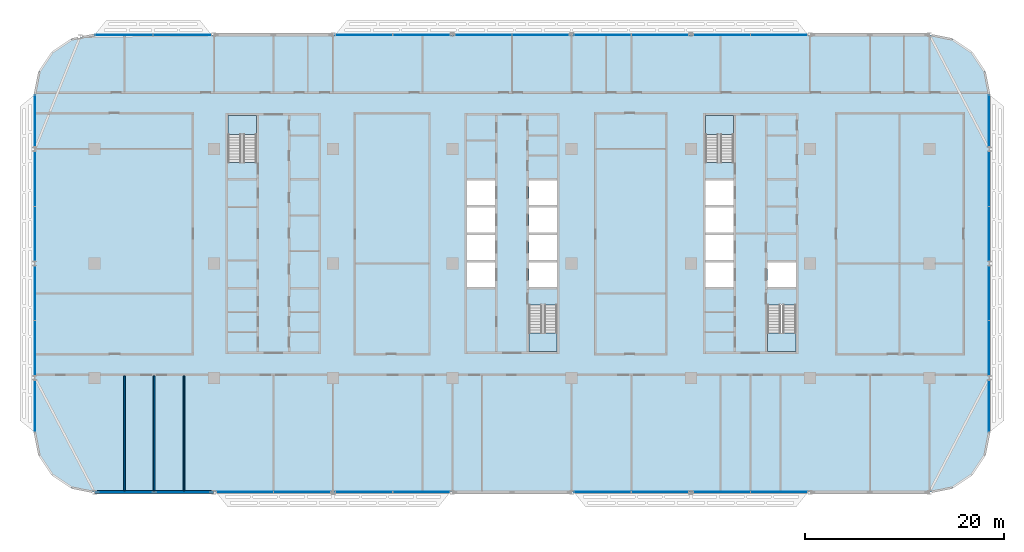
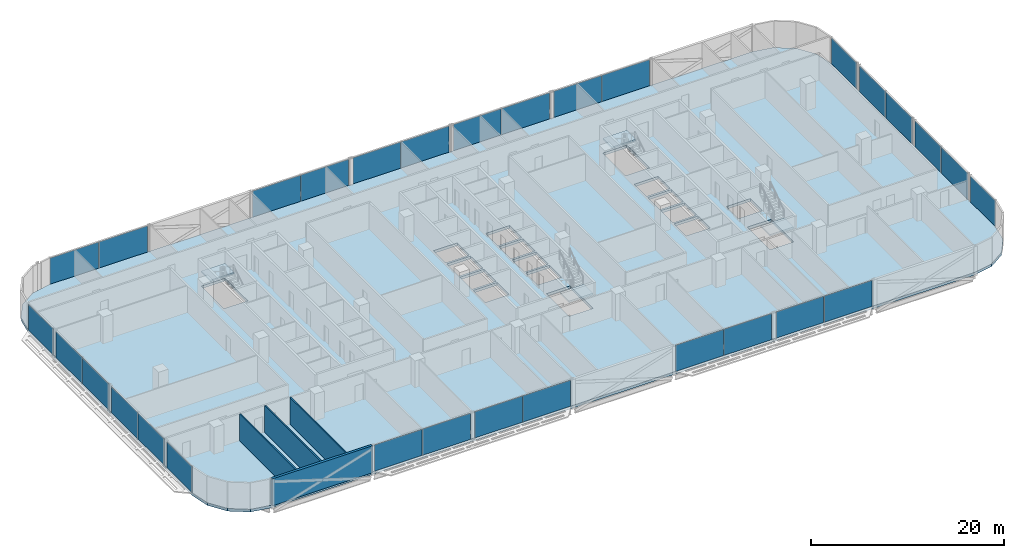
# One storey, part 10 of 28: 30 plates, 5 slabs, 4 walls, 21 elements without a shape of their own.
"""IFC4 building model written with IfcOpenShell, lengths in metres."""

import ifcopenshell
import ifcopenshell.guid

model = None  # the IFC model being written
_history = None  # IfcOwnerHistory: only IFC2X3 demands one
_inside = {}  # id of a spatial element -> (the spatial element, [elements in it])
_under = {}  # id of a project, library or spatial element -> (it, [spatial elements below it])
_declared = {}  # id of a project -> (the project, [libraries it declares])
_typed = {}  # id of a type object -> (the type object, [elements of that type])
_made_of = {}  # id of a material, layer set ... -> (it, [elements and type objects made of it])


def new_model(schema):
    """Start an empty IFC model of exactly this schema.

    Asked for "IFC4X3", IfcOpenShell would pick the latest addendum, in which some entities
    have other attributes; the version numbers below select the first issue.
    IFC2X3 requires an IfcOwnerHistory on every rooted entity: one is made here for all.
    """
    global model, _history
    if schema == "IFC4X3":
        model = ifcopenshell.file(schema_version=(4, 3, 0, 0))
    else:
        model = ifcopenshell.file(schema=schema)
    _inside.clear()
    _under.clear()
    _declared.clear()
    _typed.clear()
    _made_of.clear()
    _history = None
    if model.schema == "IFC2X3":
        org = make("IfcOrganization", Name="unknown")
        user = make(
            "IfcPersonAndOrganization",
            ThePerson=make("IfcPerson", FamilyName="unknown"),
            TheOrganization=org,
        )
        app = make(
            "IfcApplication",
            ApplicationDeveloper=org,
            Version="unknown",
            ApplicationFullName="unknown",
            ApplicationIdentifier="unknown",
        )
        _history = make(
            "IfcOwnerHistory",
            OwningUser=user,
            OwningApplication=app,
            ChangeAction="ADDED",
            CreationDate=0,
        )
    return model


def make(cls, **values):
    """One entity of the class cls with the attributes given. An attribute that is None is left unset."""
    return model.create_entity(
        cls, **{name: value for name, value in values.items() if value is not None}
    )


def rooted(cls, **values):
    """An entity with a GlobalId (a new one), such as an element, a storey or a relation."""
    return make(cls, GlobalId=ifcopenshell.guid.new(), OwnerHistory=_history, **values)


def si_unit(unit_type, name, prefix=None):
    """IfcSIUnit, for example si_unit("LENGTHUNIT", "METRE", prefix="MILLI")."""
    return make("IfcSIUnit", UnitType=unit_type, Prefix=prefix, Name=name)


def assignment(units):
    """IfcUnitAssignment: the units of a project."""
    return None if units is None else make("IfcUnitAssignment", Units=units)


def point(xyz):
    """IfcCartesianPoint."""
    return None if xyz is None else make("IfcCartesianPoint", Coordinates=xyz)


def direction(xyz):
    """IfcDirection."""
    return None if xyz is None else make("IfcDirection", DirectionRatios=xyz)


def frame(location, z_axis=None, x_axis=None):
    """IfcAxis2Placement3D, a coordinate frame: its origin and axes. An axis left out is left unset."""
    return make(
        "IfcAxis2Placement3D",
        Location=point(location),
        Axis=direction(z_axis),
        RefDirection=direction(x_axis),
    )


def frame_2d(location, x_axis=None):
    """IfcAxis2Placement2D, a coordinate frame in the plane: its origin and x axis."""
    return make(
        "IfcAxis2Placement2D", Location=point(location), RefDirection=direction(x_axis)
    )


def origin():
    """The frame at (0, 0, 0) with its axes left unset."""
    return frame((0.0, 0.0, 0.0))


def origin_2d():
    """The frame at (0, 0) in the plane with its x axis left unset."""
    return frame_2d((0.0, 0.0))


def place(relative_to, where):
    """IfcLocalPlacement: puts the frame where relative to a parent placement (None: the world)."""
    return make(
        "IfcLocalPlacement", PlacementRelTo=relative_to, RelativePlacement=where
    )


def context(
    kind, dimensions, precision=None, world=None, true_north=None, identifier=None
):
    """IfcGeometricRepresentationContext, for example the 3D "Model" context."""
    return make(
        "IfcGeometricRepresentationContext",
        ContextIdentifier=identifier,
        ContextType=kind,
        CoordinateSpaceDimension=dimensions,
        Precision=precision,
        WorldCoordinateSystem=world,
        TrueNorth=true_north,
    )


def subcontext(parent, identifier, kind, view, scale=None):
    """IfcGeometricRepresentationSubContext, for example "Body" below "Model"."""
    return make(
        "IfcGeometricRepresentationSubContext",
        ContextIdentifier=identifier,
        ContextType=kind,
        ParentContext=parent,
        TargetScale=scale,
        TargetView=view,
    )


def project(units=None, contexts=None):
    """IfcProject with its units and contexts."""
    return rooted(
        "IfcProject",
        Name="project",
        RepresentationContexts=contexts,
        UnitsInContext=assignment(units),
    )


def spatial(cls, under=None, at=None, **own):
    """A site, building, storey or space (cls), placed at a placement, below another one or the project."""
    s = rooted(cls, ObjectPlacement=at, **own)
    if under is not None:
        _under.setdefault(under.id(), (under, []))[1].append(s)
    return s


def polyline(points):
    """IfcPolyline through the points."""
    return make("IfcPolyline", Points=[point(p) for p in points])


def profile(cls, at=None, kind="AREA", **sizes):
    """A parametric profile (cls). Its sizes go by their IFC names, for example OverallWidth=200.0."""
    return make(cls, ProfileType=kind, Position=at, **sizes)


def rectangle(**sizes):
    """IfcRectangleProfileDef."""
    return profile("IfcRectangleProfileDef", **sizes)


def outline(outer, holes=None, kind="AREA"):
    """IfcArbitraryClosedProfileDef: a profile drawn as a closed curve; with holes, ...WithVoids."""
    if holes is None:
        return make("IfcArbitraryClosedProfileDef", ProfileType=kind, OuterCurve=outer)
    return make(
        "IfcArbitraryProfileDefWithVoids",
        ProfileType=kind,
        OuterCurve=outer,
        InnerCurves=holes,
    )


def extrude(swept, where, along, depth):
    """IfcExtrudedAreaSolid: the profile swept, set in the frame where, extruded along a direction by depth."""
    return make(
        "IfcExtrudedAreaSolid",
        SweptArea=swept,
        Position=where,
        ExtrudedDirection=direction(along),
        Depth=depth,
    )


def shape(context_of_items, identifier, shape_type, items):
    """IfcShapeRepresentation: the items that make up one representation, for example the "Body"."""
    return make(
        "IfcShapeRepresentation",
        ContextOfItems=context_of_items,
        RepresentationIdentifier=identifier,
        RepresentationType=shape_type,
        Items=items,
    )


def material(Name=None, Category=None):
    """IfcMaterial."""
    return make("IfcMaterial", Name=Name, Category=Category)


def layer(
    of_material, thickness, ventilated=None, Name=None, Category=None, Priority=None
):
    """IfcMaterialLayer: one layer of a wall or slab, of a material (None: an air gap)."""
    return make(
        "IfcMaterialLayer",
        Material=of_material,
        LayerThickness=thickness,
        IsVentilated=ventilated,
        Name=Name,
        Category=Category,
        Priority=Priority,
    )


def layer_set(layers, Name=None):
    """IfcMaterialLayerSet."""
    return make("IfcMaterialLayerSet", MaterialLayers=layers, LayerSetName=Name)


def made_of(thing, what):
    """Note that an element or type object is made of a material, layer set ...; save() writes the relation."""
    if what is not None:
        _made_of.setdefault(what.id(), (what, []))[1].append(thing)
    return thing


def type_object(cls, material=None, **own):
    """A type object (cls), such as IfcWallType, which elements share."""
    return made_of(rooted(cls, **own), material)


def element(
    cls,
    number,
    at=None,
    inside=None,
    cuts=None,
    type_object=None,
    material=None,
    context=None,
    identifier="Body",
    shape_type=None,
    held_by="IfcProductDefinitionShape",
    body=None,
    shapes=None,
    **own,
):
    """One element of the class cls, such as IfcWall. Its Tag is "e" and its number.

    at: its placement. inside: the storey or other place that contains it. cuts: it is an
    opening in that element (IfcRelVoidsElement). A single representation is given by context,
    identifier, shape_type and body (its items); several are given by shapes. held_by: the class
    of the entity that holds the representations. save() writes the other relations.
    """
    e = rooted(cls, Tag="e%d" % number, ObjectPlacement=at, **own)
    if body is not None:
        shapes = [shape(context, identifier, shape_type, body)]
    if shapes is not None:
        e.Representation = make(held_by, Representations=shapes)
    if inside is not None:
        _inside.setdefault(inside.id(), (inside, []))[1].append(e)
    if cuts is not None:
        rooted(
            "IfcRelVoidsElement", RelatingBuildingElement=cuts, RelatedOpeningElement=e
        )
    if type_object is not None:
        _typed.setdefault(type_object.id(), (type_object, []))[1].append(e)
    return made_of(e, material)


def aggregate(whole, parts):
    """IfcRelAggregates: a whole, such as a stair, and the parts it consists of."""
    return rooted("IfcRelAggregates", RelatingObject=whole, RelatedObjects=parts)


def save(model, path):
    """Write the relations noted so far, then the file.

    IfcRelAggregates (storeys below a building ...), IfcRelContainedInSpatialStructure (elements
    in a storey), IfcRelDefinesByType, IfcRelAssociatesMaterial and IfcRelDeclares: one each for
    every whole, place, type object, material and project.
    """
    for whole, parts in _under.values():
        aggregate(whole, parts)
    for where, things in _inside.values():
        rooted(
            "IfcRelContainedInSpatialStructure",
            RelatedElements=things,
            RelatingStructure=where,
        )
    for kind, things in _typed.values():
        rooted("IfcRelDefinesByType", RelatedObjects=things, RelatingType=kind)
    for what, things in _made_of.values():
        rooted("IfcRelAssociatesMaterial", RelatedObjects=things, RelatingMaterial=what)
    for by, libraries in _declared.values():
        rooted("IfcRelDeclares", RelatingContext=by, RelatedDefinitions=libraries)
    model.write(path)


model = new_model("IFC4")

# Units and contexts
model_context = context("Model", 3, precision=1e-05, world=origin(), true_north=direction((0.0, 1.0)))
body_context = subcontext(model_context, "Body", "Model", "MODEL_VIEW")
ifc_project = project(units=[si_unit("LENGTHUNIT", "METRE"), si_unit("AREAUNIT", "SQUARE_METRE"), si_unit("VOLUMEUNIT", "CUBIC_METRE"), si_unit("PLANEANGLEUNIT", "RADIAN"), si_unit("MASSUNIT", "GRAM", prefix="KILO")], contexts=[model_context])

# Site, building, storey
site_placement = place(None, origin())
site = spatial("IfcSite", under=ifc_project, at=site_placement, CompositionType="ELEMENT")
building_placement = place(site_placement, origin())
building = spatial("IfcBuilding", under=site, at=building_placement, Name="Mahtab Terrace Research Tower", CompositionType="ELEMENT")
storey_placement = place(building_placement, frame((0.0, 0.0, 185.800048828125)))
storey = spatial("IfcBuildingStorey", under=building, at=storey_placement, Name="L44", CompositionType="ELEMENT", Elevation=185.800048828125)

# Stair, slab
ifc_material_1 = material(Name="Exit stair half-turn")
stair_type = type_object("IfcStairType", Name="Exit stair half-turn", PredefinedType="HALF_TURN_STAIR", material=ifc_material_1)
stair_1_placement = place(storey_placement, origin())
stair_1 = element("IfcStair", 1, at=stair_1_placement, inside=storey, type_object=stair_type, Name="L44 Protected exit stair ST1", PredefinedType="HALF_TURN_STAIR")
ifc_material_2 = material(Name="Concrete C40/50", Category="concrete")
ifc_layer_1 = layer(ifc_material_2, 0.199951171875)
ifc_layer_set_1 = layer_set([ifc_layer_1], Name="Exit stair landing 200")
slab_type_1 = type_object("IfcSlabType", Name="Exit stair landing 200", PredefinedType="LANDING", material=ifc_layer_set_1)
slab_1_placement = place(storey_placement, frame((0.0, 0.0, 1.699951171875)))
slab_1 = element("IfcSlab", 2, at=slab_1_placement, type_object=slab_type_1, Name="ST1 landing 1", PredefinedType="LANDING", context=body_context, shape_type="SweptSolid", body=[
    extrude(outline(polyline([(-25.699951171875, 12.97509765625), (-25.699951171875, 14.875), (-28.550048828125, 14.875), (-28.550048828125, 12.97509765625), (-25.699951171875, 12.97509765625)])), origin(), (0.0, 0.0, 1.0), 0.199951171875),
])
aggregate(stair_1, [slab_1])

stair_2_placement = place(storey_placement, origin())
stair_2 = element("IfcStair", 3, at=stair_2_placement, inside=storey, type_object=stair_type, Name="L44 Protected exit stair ST2", PredefinedType="HALF_TURN_STAIR")
slab_2_placement = place(storey_placement, frame((0.0, 0.0, 1.699951171875)))
slab_2 = element("IfcSlab", 4, at=slab_2_placement, type_object=slab_type_1, Name="ST2 landing 1", PredefinedType="LANDING", context=body_context, shape_type="SweptSolid", body=[
    extrude(outline(polyline([(1.699951171875, -6.97509765625), (1.699951171875, -8.875), (4.550048828125, -8.875), (4.550048828125, -6.97509765625), (1.699951171875, -6.97509765625)])), origin(), (0.0, 0.0, 1.0), 0.199951171875),
])
aggregate(stair_2, [slab_2])

stair_3_placement = place(storey_placement, origin())
stair_3 = element("IfcStair", 5, at=stair_3_placement, inside=storey, type_object=stair_type, Name="L44 Protected exit stair ST3", PredefinedType="HALF_TURN_STAIR")
slab_3_placement = place(storey_placement, frame((0.0, 0.0, 1.699951171875)))
slab_3 = element("IfcSlab", 6, at=slab_3_placement, type_object=slab_type_1, Name="ST3 landing 1", PredefinedType="LANDING", context=body_context, shape_type="SweptSolid", body=[
    extrude(outline(polyline([(22.300048828125, 12.97509765625), (22.300048828125, 14.875), (19.449951171875, 14.875), (19.449951171875, 12.97509765625), (22.300048828125, 12.97509765625)])), origin(), (0.0, 0.0, 1.0), 0.199951171875),
])
aggregate(stair_3, [slab_3])

stair_4_placement = place(storey_placement, origin())
stair_4 = element("IfcStair", 7, at=stair_4_placement, inside=storey, type_object=stair_type, Name="L44 Protected exit stair ST4", PredefinedType="HALF_TURN_STAIR")
slab_4_placement = place(storey_placement, frame((0.0, 0.0, 1.699951171875)))
slab_4 = element("IfcSlab", 8, at=slab_4_placement, type_object=slab_type_1, Name="ST4 landing 1", PredefinedType="LANDING", context=body_context, shape_type="SweptSolid", body=[
    extrude(outline(polyline([(25.699951171875, -6.97509765625), (25.699951171875, -8.875), (28.550048828125, -8.875), (28.550048828125, -6.97509765625), (25.699951171875, -6.97509765625)])), origin(), (0.0, 0.0, 1.0), 0.199951171875),
])
aggregate(stair_4, [slab_4])

# Curtain wall, plates
ifc_material_3 = material(Name="Laboratory ribbon curtain wall")
curtain_wall_type = type_object("IfcCurtainWallType", Name="Laboratory ribbon curtain wall", PredefinedType="NOTDEFINED", material=ifc_material_3)
curtain_wall_1_placement = place(storey_placement, origin())
curtain_wall_1 = element("IfcCurtainWall", 9, at=curtain_wall_1_placement, inside=storey, type_object=curtain_wall_type, Name="EN.L44.3.4", PredefinedType="NOTDEFINED")
ifc_material_4 = material(Name="Dark glazing", Category="glass")
ifc_layer_2 = layer(ifc_material_4, 0.031982421875)
ifc_layer_set_2 = layer_set([ifc_layer_2], Name="Laboratory ribbon curtain wall glazing panel")
plate_type = type_object("IfcPlateType", Name="Laboratory ribbon curtain wall glazing panel", PredefinedType="CURTAIN_PANEL", material=ifc_layer_set_2)
plate_1_placement = place(storey_placement, frame((26.879638671875, 23.0, 0.0), z_axis=(0.0, 0.0, 1.0), x_axis=(-1.0, 0.0, 0.0)))
plate_1 = element("IfcPlate", 10, at=plate_1_placement, type_object=plate_type, Name="CWL-5 panel 1", PredefinedType="CURTAIN_PANEL", context=body_context, shape_type="SweptSolid", body=[
    extrude(rectangle(XDim=5.694580078125, YDim=0.031982421875, at=origin_2d()), origin(), (0.0, 0.0, 1.0), 3.300048828125),
])
plate_2_placement = place(storey_placement, frame((21.120361328125, 23.0, 0.0), z_axis=(0.0, 0.0, 1.0), x_axis=(-1.0, 0.0, 0.0)))
plate_2 = element("IfcPlate", 11, at=plate_2_placement, type_object=plate_type, Name="CWL-5 panel 2", PredefinedType="CURTAIN_PANEL", context=body_context, shape_type="SweptSolid", body=[
    extrude(rectangle(XDim=5.694580078125, YDim=0.031982421875, at=origin_2d()), origin(), (0.0, 0.0, 1.0), 3.300048828125),
])
aggregate(curtain_wall_1, [plate_1, plate_2])

curtain_wall_2_placement = place(storey_placement, origin())
curtain_wall_2 = element("IfcCurtainWall", 12, at=curtain_wall_2_placement, inside=storey, type_object=curtain_wall_type, Name="EN.L44.3.5", PredefinedType="NOTDEFINED")
plate_3_placement = place(storey_placement, frame((14.879638671875, 23.0, 0.0), z_axis=(0.0, 0.0, 1.0), x_axis=(-1.0, 0.0, 0.0)))
plate_3 = element("IfcPlate", 13, at=plate_3_placement, type_object=plate_type, Name="CWL-5 panel 1", PredefinedType="CURTAIN_PANEL", context=body_context, shape_type="SweptSolid", body=[
    extrude(rectangle(XDim=5.694580078125, YDim=0.031982421875, at=origin_2d()), origin(), (0.0, 0.0, 1.0), 3.300048828125),
])
plate_4_placement = place(storey_placement, frame((9.120361328125, 23.0, 0.0), z_axis=(0.0, 0.0, 1.0), x_axis=(-1.0, 0.0, 0.0)))
plate_4 = element("IfcPlate", 14, at=plate_4_placement, type_object=plate_type, Name="CWL-5 panel 2", PredefinedType="CURTAIN_PANEL", context=body_context, shape_type="SweptSolid", body=[
    extrude(rectangle(XDim=5.694580078125, YDim=0.031982421875, at=origin_2d()), origin(), (0.0, 0.0, 1.0), 3.300048828125),
])
aggregate(curtain_wall_2, [plate_3, plate_4])

curtain_wall_3_placement = place(storey_placement, origin())
curtain_wall_3 = element("IfcCurtainWall", 15, at=curtain_wall_3_placement, inside=storey, type_object=curtain_wall_type, Name="EN.L44.3.6", PredefinedType="NOTDEFINED")
plate_5_placement = place(storey_placement, frame((2.879638671875, 23.0, 0.0), z_axis=(0.0, 0.0, 1.0), x_axis=(-1.0, 0.0, 0.0)))
plate_5 = element("IfcPlate", 16, at=plate_5_placement, type_object=plate_type, Name="CWL-5 panel 1", PredefinedType="CURTAIN_PANEL", context=body_context, shape_type="SweptSolid", body=[
    extrude(rectangle(XDim=5.694580078125, YDim=0.031982421875, at=origin_2d()), origin(), (0.0, 0.0, 1.0), 3.300048828125),
])
plate_6_placement = place(storey_placement, frame((-2.879638671875, 23.0, 0.0), z_axis=(0.0, 0.0, 1.0), x_axis=(-1.0, 0.0, 0.0)))
plate_6 = element("IfcPlate", 17, at=plate_6_placement, type_object=plate_type, Name="CWL-5 panel 2", PredefinedType="CURTAIN_PANEL", context=body_context, shape_type="SweptSolid", body=[
    extrude(rectangle(XDim=5.694580078125, YDim=0.031982421875, at=origin_2d()), origin(), (0.0, 0.0, 1.0), 3.300048828125),
])
aggregate(curtain_wall_3, [plate_5, plate_6])

curtain_wall_4_placement = place(storey_placement, origin())
curtain_wall_4 = element("IfcCurtainWall", 18, at=curtain_wall_4_placement, inside=storey, type_object=curtain_wall_type, Name="EN.L44.3.7", PredefinedType="NOTDEFINED")
plate_7_placement = place(storey_placement, frame((-9.120361328125, 23.0, 0.0), z_axis=(0.0, 0.0, 1.0), x_axis=(-1.0, 0.0, 0.0)))
plate_7 = element("IfcPlate", 19, at=plate_7_placement, type_object=plate_type, Name="CWL-5 panel 1", PredefinedType="CURTAIN_PANEL", context=body_context, shape_type="SweptSolid", body=[
    extrude(rectangle(XDim=5.694580078125, YDim=0.031982421875, at=origin_2d()), origin(), (0.0, 0.0, 1.0), 3.300048828125),
])
plate_8_placement = place(storey_placement, frame((-14.879638671875, 23.0, 0.0), z_axis=(0.0, 0.0, 1.0), x_axis=(-1.0, 0.0, 0.0)))
plate_8 = element("IfcPlate", 20, at=plate_8_placement, type_object=plate_type, Name="CWL-5 panel 2", PredefinedType="CURTAIN_PANEL", context=body_context, shape_type="SweptSolid", body=[
    extrude(rectangle(XDim=5.694580078125, YDim=0.031982421875, at=origin_2d()), origin(), (0.0, 0.0, 1.0), 3.300048828125),
])
aggregate(curtain_wall_4, [plate_7, plate_8])

curtain_wall_5_placement = place(storey_placement, origin())
curtain_wall_5 = element("IfcCurtainWall", 21, at=curtain_wall_5_placement, inside=storey, type_object=curtain_wall_type, Name="EN.L44.3.9", PredefinedType="NOTDEFINED")
plate_9_placement = place(storey_placement, frame((-33.17236328125, 23.0, 0.0), z_axis=(0.0, 0.0, 1.0), x_axis=(-1.0, 0.0, 0.0)))
plate_9 = element("IfcPlate", 22, at=plate_9_placement, type_object=plate_type, Name="CWL-5 panel 1", PredefinedType="CURTAIN_PANEL", context=body_context, shape_type="SweptSolid", body=[
    extrude(rectangle(XDim=5.798583984375, YDim=0.031982421875, at=origin_2d()), origin(), (0.0, 0.0, 1.0), 3.300048828125),
])
plate_10_placement = place(storey_placement, frame((-39.03564453125, 23.0, 0.0), z_axis=(0.0, 0.0, 1.0), x_axis=(-1.0, 0.0, 0.0)))
plate_10 = element("IfcPlate", 23, at=plate_10_placement, type_object=plate_type, Name="CWL-5 panel 2", PredefinedType="CURTAIN_PANEL", context=body_context, shape_type="SweptSolid", body=[
    extrude(rectangle(XDim=5.798583984375, YDim=0.031982421875, at=origin_2d()), origin(), (0.0, 0.0, 1.0), 3.300048828125),
])
aggregate(curtain_wall_5, [plate_9, plate_10])

# Curtain wall, plate
curtain_wall_6_placement = place(storey_placement, origin())
curtain_wall_6 = element("IfcCurtainWall", 24, at=curtain_wall_6_placement, inside=storey, type_object=curtain_wall_type, Name="EN.L44.8.15", PredefinedType="NOTDEFINED")
plate_11_placement = place(storey_placement, frame((-48.0, 14.35400390625, 0.0), z_axis=(0.0, 0.0, 1.0), x_axis=(0.0, -1.0, 0.0)))
plate_11 = element("IfcPlate", 25, at=plate_11_placement, type_object=plate_type, Name="CWL-5 panel 1", PredefinedType="CURTAIN_PANEL", context=body_context, shape_type="SweptSolid", body=[
    extrude(rectangle(XDim=5.162109375, YDim=0.031982421875, at=origin_2d()), origin(), (0.0, 0.0, 1.0), 3.300048828125),
])
aggregate(curtain_wall_6, [plate_11])

# Curtain wall, plates
curtain_wall_7_placement = place(storey_placement, origin())
curtain_wall_7 = element("IfcCurtainWall", 26, at=curtain_wall_7_placement, inside=storey, type_object=curtain_wall_type, Name="EN.L44.8.16", PredefinedType="NOTDEFINED")
plate_12_placement = place(storey_placement, frame((-48.0, 8.504638671875, 0.0), z_axis=(0.0, 0.0, 1.0), x_axis=(0.0, -1.0, 0.0)))
plate_12 = element("IfcPlate", 27, at=plate_12_placement, type_object=plate_type, Name="CWL-5 panel 1", PredefinedType="CURTAIN_PANEL", context=body_context, shape_type="SweptSolid", body=[
    extrude(rectangle(XDim=5.444580078125, YDim=0.031982421875, at=origin_2d()), origin(), (0.0, 0.0, 1.0), 3.300048828125),
])
plate_13_placement = place(storey_placement, frame((-48.0, 2.995361328125, 0.0), z_axis=(0.0, 0.0, 1.0), x_axis=(0.0, -1.0, 0.0)))
plate_13 = element("IfcPlate", 28, at=plate_13_placement, type_object=plate_type, Name="CWL-5 panel 2", PredefinedType="CURTAIN_PANEL", context=body_context, shape_type="SweptSolid", body=[
    extrude(rectangle(XDim=5.444580078125, YDim=0.031982421875, at=origin_2d()), origin(), (0.0, 0.0, 1.0), 3.300048828125),
])
aggregate(curtain_wall_7, [plate_12, plate_13])

curtain_wall_8_placement = place(storey_placement, origin())
curtain_wall_8 = element("IfcCurtainWall", 29, at=curtain_wall_8_placement, inside=storey, type_object=curtain_wall_type, Name="EN.L44.8.17", PredefinedType="NOTDEFINED")
plate_14_placement = place(storey_placement, frame((-48.0, -2.995361328125, 0.0), z_axis=(0.0, 0.0, 1.0), x_axis=(0.0, -1.0, 0.0)))
plate_14 = element("IfcPlate", 30, at=plate_14_placement, type_object=plate_type, Name="CWL-5 panel 1", PredefinedType="CURTAIN_PANEL", context=body_context, shape_type="SweptSolid", body=[
    extrude(rectangle(XDim=5.444580078125, YDim=0.031982421875, at=origin_2d()), origin(), (0.0, 0.0, 1.0), 3.300048828125),
])
plate_15_placement = place(storey_placement, frame((-48.0, -8.504638671875, 0.0), z_axis=(0.0, 0.0, 1.0), x_axis=(0.0, -1.0, 0.0)))
plate_15 = element("IfcPlate", 31, at=plate_15_placement, type_object=plate_type, Name="CWL-5 panel 2", PredefinedType="CURTAIN_PANEL", context=body_context, shape_type="SweptSolid", body=[
    extrude(rectangle(XDim=5.444580078125, YDim=0.031982421875, at=origin_2d()), origin(), (0.0, 0.0, 1.0), 3.300048828125),
])
aggregate(curtain_wall_8, [plate_14, plate_15])

# Curtain wall, plate
curtain_wall_9_placement = place(storey_placement, origin())
curtain_wall_9 = element("IfcCurtainWall", 32, at=curtain_wall_9_placement, inside=storey, type_object=curtain_wall_type, Name="EN.L44.8.18", PredefinedType="NOTDEFINED")
plate_16_placement = place(storey_placement, frame((-48.0, -14.35400390625, 0.0), z_axis=(0.0, 0.0, 1.0), x_axis=(0.0, -1.0, 0.0)))
plate_16 = element("IfcPlate", 33, at=plate_16_placement, type_object=plate_type, Name="CWL-5 panel 1", PredefinedType="CURTAIN_PANEL", context=body_context, shape_type="SweptSolid", body=[
    extrude(rectangle(XDim=5.162109375, YDim=0.031982421875, at=origin_2d()), origin(), (0.0, 0.0, 1.0), 3.300048828125),
])
aggregate(curtain_wall_9, [plate_16])

# Curtain wall, plates
curtain_wall_10_placement = place(storey_placement, origin())
curtain_wall_10 = element("IfcCurtainWall", 34, at=curtain_wall_10_placement, inside=storey, type_object=curtain_wall_type, Name="EN.L44.13.24", PredefinedType="NOTDEFINED")
plate_17_placement = place(storey_placement, frame((-26.879638671875, -23.0, 0.0), z_axis=(0.0, 0.0, 1.0), x_axis=(1.0, 0.0, 0.0)))
plate_17 = element("IfcPlate", 35, at=plate_17_placement, type_object=plate_type, Name="CWL-5 panel 1", PredefinedType="CURTAIN_PANEL", context=body_context, shape_type="SweptSolid", body=[
    extrude(rectangle(XDim=5.694580078125, YDim=0.031982421875, at=origin_2d()), origin(), (0.0, 0.0, 1.0), 3.300048828125),
])
plate_18_placement = place(storey_placement, frame((-21.120361328125, -23.0, 0.0), z_axis=(0.0, 0.0, 1.0), x_axis=(1.0, 0.0, 0.0)))
plate_18 = element("IfcPlate", 36, at=plate_18_placement, type_object=plate_type, Name="CWL-5 panel 2", PredefinedType="CURTAIN_PANEL", context=body_context, shape_type="SweptSolid", body=[
    extrude(rectangle(XDim=5.694580078125, YDim=0.031982421875, at=origin_2d()), origin(), (0.0, 0.0, 1.0), 3.300048828125),
])
aggregate(curtain_wall_10, [plate_17, plate_18])

curtain_wall_11_placement = place(storey_placement, origin())
curtain_wall_11 = element("IfcCurtainWall", 37, at=curtain_wall_11_placement, inside=storey, type_object=curtain_wall_type, Name="EN.L44.13.25", PredefinedType="NOTDEFINED")
plate_19_placement = place(storey_placement, frame((-14.879638671875, -23.0, 0.0), z_axis=(0.0, 0.0, 1.0), x_axis=(1.0, 0.0, 0.0)))
plate_19 = element("IfcPlate", 38, at=plate_19_placement, type_object=plate_type, Name="CWL-5 panel 1", PredefinedType="CURTAIN_PANEL", context=body_context, shape_type="SweptSolid", body=[
    extrude(rectangle(XDim=5.694580078125, YDim=0.031982421875, at=origin_2d()), origin(), (0.0, 0.0, 1.0), 3.300048828125),
])
plate_20_placement = place(storey_placement, frame((-9.120361328125, -23.0, 0.0), z_axis=(0.0, 0.0, 1.0), x_axis=(1.0, 0.0, 0.0)))
plate_20 = element("IfcPlate", 39, at=plate_20_placement, type_object=plate_type, Name="CWL-5 panel 2", PredefinedType="CURTAIN_PANEL", context=body_context, shape_type="SweptSolid", body=[
    extrude(rectangle(XDim=5.694580078125, YDim=0.031982421875, at=origin_2d()), origin(), (0.0, 0.0, 1.0), 3.300048828125),
])
aggregate(curtain_wall_11, [plate_19, plate_20])

curtain_wall_12_placement = place(storey_placement, origin())
curtain_wall_12 = element("IfcCurtainWall", 40, at=curtain_wall_12_placement, inside=storey, type_object=curtain_wall_type, Name="EN.L44.13.27", PredefinedType="NOTDEFINED")
plate_21_placement = place(storey_placement, frame((9.120361328125, -23.0, 0.0), z_axis=(0.0, 0.0, 1.0), x_axis=(1.0, 0.0, 0.0)))
plate_21 = element("IfcPlate", 41, at=plate_21_placement, type_object=plate_type, Name="CWL-5 panel 1", PredefinedType="CURTAIN_PANEL", context=body_context, shape_type="SweptSolid", body=[
    extrude(rectangle(XDim=5.694580078125, YDim=0.031982421875, at=origin_2d()), origin(), (0.0, 0.0, 1.0), 3.300048828125),
])
plate_22_placement = place(storey_placement, frame((14.879638671875, -23.0, 0.0), z_axis=(0.0, 0.0, 1.0), x_axis=(1.0, 0.0, 0.0)))
plate_22 = element("IfcPlate", 42, at=plate_22_placement, type_object=plate_type, Name="CWL-5 panel 2", PredefinedType="CURTAIN_PANEL", context=body_context, shape_type="SweptSolid", body=[
    extrude(rectangle(XDim=5.694580078125, YDim=0.031982421875, at=origin_2d()), origin(), (0.0, 0.0, 1.0), 3.300048828125),
])
aggregate(curtain_wall_12, [plate_21, plate_22])

curtain_wall_13_placement = place(storey_placement, origin())
curtain_wall_13 = element("IfcCurtainWall", 43, at=curtain_wall_13_placement, inside=storey, type_object=curtain_wall_type, Name="EN.L44.13.28", PredefinedType="NOTDEFINED")
plate_23_placement = place(storey_placement, frame((21.120361328125, -23.0, 0.0), z_axis=(0.0, 0.0, 1.0), x_axis=(1.0, 0.0, 0.0)))
plate_23 = element("IfcPlate", 44, at=plate_23_placement, type_object=plate_type, Name="CWL-5 panel 1", PredefinedType="CURTAIN_PANEL", context=body_context, shape_type="SweptSolid", body=[
    extrude(rectangle(XDim=5.694580078125, YDim=0.031982421875, at=origin_2d()), origin(), (0.0, 0.0, 1.0), 3.300048828125),
])
plate_24_placement = place(storey_placement, frame((26.879638671875, -23.0, 0.0), z_axis=(0.0, 0.0, 1.0), x_axis=(1.0, 0.0, 0.0)))
plate_24 = element("IfcPlate", 45, at=plate_24_placement, type_object=plate_type, Name="CWL-5 panel 2", PredefinedType="CURTAIN_PANEL", context=body_context, shape_type="SweptSolid", body=[
    extrude(rectangle(XDim=5.694580078125, YDim=0.031982421875, at=origin_2d()), origin(), (0.0, 0.0, 1.0), 3.300048828125),
])
aggregate(curtain_wall_13, [plate_23, plate_24])

# Curtain wall, plate
curtain_wall_14_placement = place(storey_placement, origin())
curtain_wall_14 = element("IfcCurtainWall", 46, at=curtain_wall_14_placement, inside=storey, type_object=curtain_wall_type, Name="EN.L44.18.34", PredefinedType="NOTDEFINED")
plate_25_placement = place(storey_placement, frame((48.0, -14.35400390625, 0.0), z_axis=(0.0, 0.0, 1.0), x_axis=(0.0, 1.0, 0.0)))
plate_25 = element("IfcPlate", 47, at=plate_25_placement, type_object=plate_type, Name="CWL-5 panel 1", PredefinedType="CURTAIN_PANEL", context=body_context, shape_type="SweptSolid", body=[
    extrude(rectangle(XDim=5.162109375, YDim=0.031982421875, at=origin_2d()), origin(), (0.0, 0.0, 1.0), 3.300048828125),
])
aggregate(curtain_wall_14, [plate_25])

# Curtain wall, plates
curtain_wall_15_placement = place(storey_placement, origin())
curtain_wall_15 = element("IfcCurtainWall", 48, at=curtain_wall_15_placement, inside=storey, type_object=curtain_wall_type, Name="EN.L44.18.35", PredefinedType="NOTDEFINED")
plate_26_placement = place(storey_placement, frame((48.0, -8.504638671875, 0.0), z_axis=(0.0, 0.0, 1.0), x_axis=(0.0, 1.0, 0.0)))
plate_26 = element("IfcPlate", 49, at=plate_26_placement, type_object=plate_type, Name="CWL-5 panel 1", PredefinedType="CURTAIN_PANEL", context=body_context, shape_type="SweptSolid", body=[
    extrude(rectangle(XDim=5.444580078125, YDim=0.031982421875, at=origin_2d()), origin(), (0.0, 0.0, 1.0), 3.300048828125),
])
plate_27_placement = place(storey_placement, frame((48.0, -2.995361328125, 0.0), z_axis=(0.0, 0.0, 1.0), x_axis=(0.0, 1.0, 0.0)))
plate_27 = element("IfcPlate", 50, at=plate_27_placement, type_object=plate_type, Name="CWL-5 panel 2", PredefinedType="CURTAIN_PANEL", context=body_context, shape_type="SweptSolid", body=[
    extrude(rectangle(XDim=5.444580078125, YDim=0.031982421875, at=origin_2d()), origin(), (0.0, 0.0, 1.0), 3.300048828125),
])
aggregate(curtain_wall_15, [plate_26, plate_27])

curtain_wall_16_placement = place(storey_placement, origin())
curtain_wall_16 = element("IfcCurtainWall", 51, at=curtain_wall_16_placement, inside=storey, type_object=curtain_wall_type, Name="EN.L44.18.36", PredefinedType="NOTDEFINED")
plate_28_placement = place(storey_placement, frame((48.0, 2.995361328125, 0.0), z_axis=(0.0, 0.0, 1.0), x_axis=(0.0, 1.0, 0.0)))
plate_28 = element("IfcPlate", 52, at=plate_28_placement, type_object=plate_type, Name="CWL-5 panel 1", PredefinedType="CURTAIN_PANEL", context=body_context, shape_type="SweptSolid", body=[
    extrude(rectangle(XDim=5.444580078125, YDim=0.031982421875, at=origin_2d()), origin(), (0.0, 0.0, 1.0), 3.300048828125),
])
plate_29_placement = place(storey_placement, frame((48.0, 8.504638671875, 0.0), z_axis=(0.0, 0.0, 1.0), x_axis=(0.0, 1.0, 0.0)))
plate_29 = element("IfcPlate", 53, at=plate_29_placement, type_object=plate_type, Name="CWL-5 panel 2", PredefinedType="CURTAIN_PANEL", context=body_context, shape_type="SweptSolid", body=[
    extrude(rectangle(XDim=5.444580078125, YDim=0.031982421875, at=origin_2d()), origin(), (0.0, 0.0, 1.0), 3.300048828125),
])
aggregate(curtain_wall_16, [plate_28, plate_29])

# Curtain wall, plate
curtain_wall_17_placement = place(storey_placement, origin())
curtain_wall_17 = element("IfcCurtainWall", 54, at=curtain_wall_17_placement, inside=storey, type_object=curtain_wall_type, Name="EN.L44.18.37", PredefinedType="NOTDEFINED")
plate_30_placement = place(storey_placement, frame((48.0, 14.35400390625, 0.0), z_axis=(0.0, 0.0, 1.0), x_axis=(0.0, 1.0, 0.0)))
plate_30 = element("IfcPlate", 55, at=plate_30_placement, type_object=plate_type, Name="CWL-5 panel 1", PredefinedType="CURTAIN_PANEL", context=body_context, shape_type="SweptSolid", body=[
    extrude(rectangle(XDim=5.162109375, YDim=0.031982421875, at=origin_2d()), origin(), (0.0, 0.0, 1.0), 3.300048828125),
])
aggregate(curtain_wall_17, [plate_30])

# Slab
ifc_layer_3 = layer(ifc_material_2, 0.340087890625)
ifc_layer_set_3 = layer_set([ifc_layer_3], Name="PT flat slab 340")
slab_type_2 = type_object("IfcSlabType", Name="PT flat slab 340", PredefinedType="FLOOR", material=ifc_layer_set_3)
slab_5_placement = place(storey_placement, frame((0.0, 0.0, -0.340087890625)))
element("IfcSlab", 56, at=slab_5_placement, inside=storey, type_object=slab_type_2, Name="Floor slab L44", PredefinedType="FLOOR", context=body_context, shape_type="SweptSolid", body=[
    extrude(outline(polyline([(47.54296875, 19.2958984375), (46.242919921875, 21.242919921875), (44.2958984375, 22.54296875), (42.0, 23.0), (-42.0, 23.0), (-44.2958984375, 22.54296875), (-46.242919921875, 21.242919921875), (-47.54296875, 19.2958984375), (-48.0, 17.0), (-48.0, -17.0), (-47.54296875, -19.2958984375), (-46.242919921875, -21.242919921875), (-44.2958984375, -22.54296875), (-42.0, -23.0), (42.0, -23.0), (44.2958984375, -22.54296875), (46.242919921875, -21.242919921875), (47.54296875, -19.2958984375), (48.0, -17.0), (48.0, 17.0), (47.54296875, 19.2958984375)]), holes=[polyline([(-4.550048828125, -2.375), (-4.550048828125, 0.125), (-1.699951171875, 0.125), (-1.699951171875, -2.375), (-4.550048828125, -2.375)]), polyline([(1.699951171875, -2.375), (1.699951171875, 0.125), (4.550048828125, 0.125), (4.550048828125, -2.375), (1.699951171875, -2.375)]), polyline([(-4.550048828125, 0.375), (-4.550048828125, 2.875), (-1.699951171875, 2.875), (-1.699951171875, 0.375), (-4.550048828125, 0.375)]), polyline([(1.699951171875, 0.375), (1.699951171875, 2.875), (4.550048828125, 2.875), (4.550048828125, 0.375), (1.699951171875, 0.375)]), polyline([(-4.550048828125, 3.125), (-4.550048828125, 5.625), (-1.699951171875, 5.625), (-1.699951171875, 3.125), (-4.550048828125, 3.125)]), polyline([(1.699951171875, 3.125), (1.699951171875, 5.625), (4.550048828125, 5.625), (4.550048828125, 3.125), (1.699951171875, 3.125)]), polyline([(-4.550048828125, 5.875), (-4.550048828125, 8.375), (-1.699951171875, 8.375), (-1.699951171875, 5.875), (-4.550048828125, 5.875)]), polyline([(1.699951171875, 5.875), (1.699951171875, 8.375), (4.550048828125, 8.375), (4.550048828125, 5.875), (1.699951171875, 5.875)]), polyline([(-28.550048828125, 10.177001953125), (-28.550048828125, 14.875), (-25.699951171875, 14.875), (-25.699951171875, 10.177001953125), (-28.550048828125, 10.177001953125)]), polyline([(1.699951171875, -8.875), (1.699951171875, -4.177001953125), (4.550048828125, -4.177001953125), (4.550048828125, -8.875), (1.699951171875, -8.875)]), polyline([(25.699951171875, -8.875), (25.699951171875, -4.177001953125), (28.550048828125, -4.177001953125), (28.550048828125, -8.875), (25.699951171875, -8.875)]), polyline([(19.449951171875, -2.375), (19.449951171875, 0.125), (22.300048828125, 0.125), (22.300048828125, -2.375), (19.449951171875, -2.375)]), polyline([(25.699951171875, -2.375), (25.699951171875, 0.125), (28.550048828125, 0.125), (28.550048828125, -2.375), (25.699951171875, -2.375)]), polyline([(19.449951171875, 0.375), (19.449951171875, 2.875), (22.300048828125, 2.875), (22.300048828125, 0.375), (19.449951171875, 0.375)]), polyline([(19.449951171875, 3.125), (19.449951171875, 5.625), (22.300048828125, 5.625), (22.300048828125, 3.125), (19.449951171875, 3.125)]), polyline([(19.449951171875, 8.375), (22.300048828125, 8.375), (22.300048828125, 5.875), (19.449951171875, 5.875), (19.449951171875, 8.375)]), polyline([(19.449951171875, 14.875), (22.300048828125, 14.875), (22.300048828125, 10.177001953125), (19.449951171875, 10.177001953125), (19.449951171875, 14.875)])]), origin(), (0.0, 0.0, 1.0), 0.340087890625),
])

# Walls
ifc_material_5 = material(Name="Black aluminium cladding panel", Category="aluminium")
ifc_layer_4 = layer(ifc_material_5, 0.300048828125)
ifc_layer_set_4 = layer_set([ifc_layer_4], Name="Opaque facade wall 300")
wall_type_1 = type_object("IfcWallType", Name="Opaque facade wall 300", PredefinedType="NOTDEFINED", material=ifc_layer_set_4)
wall_placement = place(storey_placement, frame((-41.985107421875, -23.0, 0.0), z_axis=(0.0, 0.0, 1.0), x_axis=(1.0, 0.0, 0.0)))
element("IfcWall", 57, at=wall_placement, inside=storey, type_object=wall_type_1, Name="Opaque facade wall L44 S23", PredefinedType="NOTDEFINED", context=body_context, shape_type="SweptSolid", body=[
    extrude(rectangle(XDim=11.97021484375, YDim=0.300048828125, at=frame_2d((5.985107421875, 0.0))), origin(), (0.0, 0.0, 1.0), 3.39990234375),
])
ifc_material_6 = material(Name="Gypsum board partition on steel studs", Category="steel")
ifc_layer_5 = layer(ifc_material_6, 0.14990234375)
ifc_layer_set_5 = layer_set([ifc_layer_5], Name="WALL PARTITION 150")
wall_type_2 = type_object("IfcWallType", Name="WALL PARTITION 150", PredefinedType="PARTITIONING", material=ifc_layer_set_5)
for number, where, z_axis, x_axis, name in (
    (58, (-39.0, -22.85009765625, 0.0), (0.0, 0.0, 1.0), (0.0, 1.0, 0.0), "L44-W027"),
    (59, (-36.0, -22.85009765625, 0.0), (0.0, 0.0, 1.0), (0.0, 1.0, 0.0), "L44-W029"),
    (60, (-33.0, -22.85009765625, 0.0), (0.0, 0.0, 1.0), (0.0, 1.0, 0.0), "L44-W030"),
):
    element("IfcWall", number, at=place(storey_placement, frame(where, z_axis=z_axis, x_axis=x_axis)), inside=storey, type_object=wall_type_2, Name=name, PredefinedType="PARTITIONING", context=body_context, shape_type="SweptSolid", body=[
        extrude(rectangle(XDim=11.550048828125, YDim=0.14990234375, at=frame_2d((5.77490234375, 0.0))), origin(), (0.0, 0.0, 1.0), 3.39990234375),
    ])

save(model, "model.ifc")
